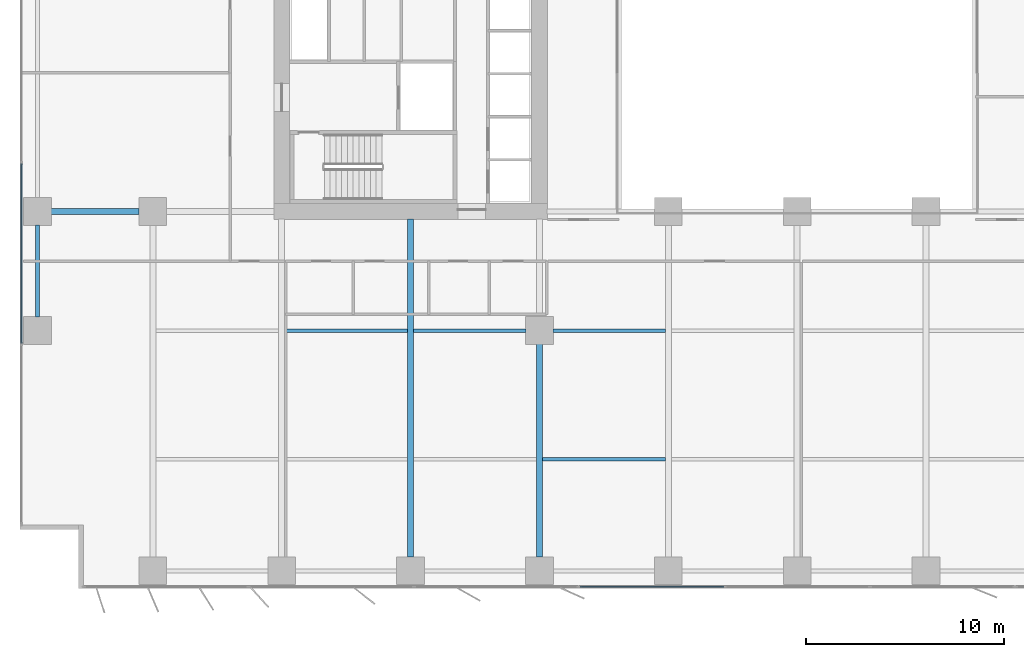
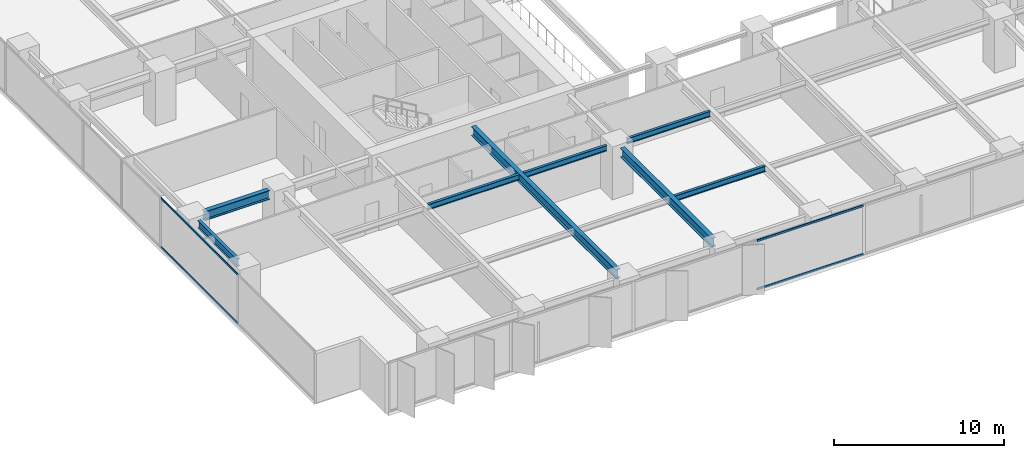
# One storey, part 3 of 20: 8 beams, 4 members, 2 elements without a shape of their own.
"""IFC4 building model written with IfcOpenShell, lengths in metres."""

from ifc_helpers import new_model, si_unit, direction, frame, origin, origin_2d, place, context, subcontext, project, spatial, rectangle, i_section, extrude, material, layer, layer_set, material_profile, profile_set, type_object, element, aggregate, save


model = new_model("IFC4")

# Units and contexts
model_context = context("Model", 3, precision=1e-05, world=origin(), true_north=direction((0.0, 1.0)))
body_context = subcontext(model_context, "Body", "Model", "MODEL_VIEW")
ifc_project = project(units=[si_unit("LENGTHUNIT", "METRE"), si_unit("AREAUNIT", "SQUARE_METRE"), si_unit("VOLUMEUNIT", "CUBIC_METRE"), si_unit("PLANEANGLEUNIT", "RADIAN"), si_unit("MASSUNIT", "GRAM", prefix="KILO")], contexts=[model_context])

# Site, building, storey
site_placement = place(None, origin())
site = spatial("IfcSite", under=ifc_project, at=site_placement, CompositionType="ELEMENT")
building_placement = place(site_placement, origin())
building = spatial("IfcBuilding", under=site, at=building_placement, Name="Putna Gate Headquarters", CompositionType="ELEMENT")
storey_placement = place(building_placement, frame((0.0, 0.0, 46.800048828125)))
storey = spatial("IfcBuildingStorey", under=building, at=storey_placement, Name="L10", CompositionType="ELEMENT", Elevation=46.800048828125)

# Beams
ifc_material_1 = material(Name="Steel S355J2", Category="steel")
ifc_material_profile_1 = material_profile(ifc_material_1, i_section(OverallWidth=0.300048828125, OverallDepth=0.64990234375, WebThickness=0.01611328125, FlangeThickness=0.031005859375, at=origin_2d()), Name="Steel S355J2")
ifc_profile_set_1 = profile_set([ifc_material_profile_1], Name="Steel S355J2")
beam_type_1 = type_object("IfcBeamType", Name="BM-GIRD-Z1-HEB650", PredefinedType="USERDEFINED", material=ifc_profile_set_1)
beam_1_placement = place(storey_placement, frame((1.367919921875, 19.0, 3.224853515625), z_axis=(1.0, 0.0, 0.0), x_axis=(0.0, 1.0, 0.0)))
element("IfcBeam", 1, at=beam_1_placement, inside=storey, type_object=beam_type_1, Name="L10 West Wing Girder Y19-1", ObjectType="GIRDER", PredefinedType="USERDEFINED", context=body_context, shape_type="SweptSolid", body=[
    extrude(i_section(OverallWidth=0.300048828125, OverallDepth=0.64990234375, WebThickness=0.01611328125, FlangeThickness=0.031005859375, at=origin_2d()), origin(), (0.0, 0.0, 1.0), 4.444091796875),
])
beam_2_placement = place(storey_placement, frame((19.5, 1.568115234375, 3.224853515625), z_axis=(0.0, 1.0, 0.0), x_axis=(-1.0, 0.0, 0.0)))
element("IfcBeam", 2, at=beam_2_placement, inside=storey, type_object=beam_type_1, Name="L10 South Primary Girder X19", ObjectType="GIRDER", PredefinedType="USERDEFINED", context=body_context, shape_type="SweptSolid", body=[
    extrude(i_section(OverallWidth=0.300048828125, OverallDepth=0.64990234375, WebThickness=0.01611328125, FlangeThickness=0.031005859375, at=origin_2d()), origin(), (0.0, 0.0, 1.0), 17.046875),
])
beam_3_placement = place(storey_placement, frame((26.0, 1.568115234375, 3.224853515625), z_axis=(0.0, 1.0, 0.0), x_axis=(-1.0, 0.0, 0.0)))
element("IfcBeam", 3, at=beam_3_placement, inside=storey, type_object=beam_type_1, Name="L10 South Primary Girder X26-1", ObjectType="GIRDER", PredefinedType="USERDEFINED", context=body_context, shape_type="SweptSolid", body=[
    extrude(i_section(OverallWidth=0.300048828125, OverallDepth=0.64990234375, WebThickness=0.01611328125, FlangeThickness=0.031005859375, at=origin_2d()), origin(), (0.0, 0.0, 1.0), 10.743896484375),
])
ifc_material_profile_2 = material_profile(ifc_material_1, i_section(OverallWidth=0.179931640625, OverallDepth=0.39990234375, WebThickness=0.008544921875, FlangeThickness=0.013427734375, at=origin_2d()), Name="Steel S355J2")
ifc_profile_set_2 = profile_set([ifc_material_profile_2], Name="Steel S355J2")
beam_type_2 = type_object("IfcBeamType", Name="BM-SEC-Z1-IPE400", PredefinedType="BEAM", material=ifc_profile_set_2)
beam_4_placement = place(storey_placement, frame((13.154052734375, 13.0, 3.349853515625), z_axis=(1.0, 0.0, 0.0), x_axis=(0.0, 1.0, 0.0)))
element("IfcBeam", 4, at=beam_4_placement, inside=storey, type_object=beam_type_2, Name="L10 South Secondary Beam 2", PredefinedType="BEAM", context=body_context, shape_type="SweptSolid", body=[
    extrude(i_section(OverallWidth=0.179931640625, OverallDepth=0.39990234375, WebThickness=0.008544921875, FlangeThickness=0.013427734375, at=origin_2d()), origin(), (0.0, 0.0, 1.0), 6.19189453125),
])
beam_5_placement = place(storey_placement, frame((19.654052734375, 13.0, 3.349853515625), z_axis=(1.0, 0.0, 0.0), x_axis=(0.0, 1.0, 0.0)))
element("IfcBeam", 5, at=beam_5_placement, inside=storey, type_object=beam_type_2, Name="L10 South Secondary Beam 3", PredefinedType="BEAM", context=body_context, shape_type="SweptSolid", body=[
    extrude(i_section(OverallWidth=0.179931640625, OverallDepth=0.39990234375, WebThickness=0.008544921875, FlangeThickness=0.013427734375, at=origin_2d()), origin(), (0.0, 0.0, 1.0), 5.657958984375),
])
beam_6_placement = place(storey_placement, frame((26.154052734375, 6.5, 3.349853515625), z_axis=(1.0, 0.0, 0.0), x_axis=(0.0, 1.0, 0.0)))
element("IfcBeam", 6, at=beam_6_placement, inside=storey, type_object=beam_type_2, Name="L10 South Secondary Beam 4", PredefinedType="BEAM", context=body_context, shape_type="SweptSolid", body=[
    extrude(i_section(OverallWidth=0.179931640625, OverallDepth=0.39990234375, WebThickness=0.008544921875, FlangeThickness=0.013427734375, at=origin_2d()), origin(), (0.0, 0.0, 1.0), 6.19189453125),
])
beam_7_placement = place(storey_placement, frame((26.68798828125, 13.0, 3.349853515625), z_axis=(1.0, 0.0, 0.0), x_axis=(0.0, 1.0, 0.0)))
element("IfcBeam", 7, at=beam_7_placement, inside=storey, type_object=beam_type_2, Name="L10 South Secondary Beam 4", PredefinedType="BEAM", context=body_context, shape_type="SweptSolid", body=[
    extrude(i_section(OverallWidth=0.179931640625, OverallDepth=0.39990234375, WebThickness=0.008544921875, FlangeThickness=0.013427734375, at=origin_2d()), origin(), (0.0, 0.0, 1.0), 5.657958984375),
])
ifc_material_profile_3 = material_profile(ifc_material_1, i_section(OverallWidth=0.2099609375, OverallDepth=0.550048828125, WebThickness=0.010986328125, FlangeThickness=0.01708984375, at=origin_2d()), Name="Steel S355J2")
ifc_profile_set_3 = profile_set([ifc_material_profile_3], Name="Steel S355J2")
beam_type_3 = type_object("IfcBeamType", Name="BM-SPAN-Z1-IPE550", PredefinedType="SPANDREL", material=ifc_profile_set_3)
beam_8_placement = place(storey_placement, frame((0.679931640625, 13.68798828125, 3.27490234375), z_axis=(0.0, 1.0, 0.0), x_axis=(-1.0, 0.0, 0.0)))
element("IfcBeam", 8, at=beam_8_placement, inside=storey, type_object=beam_type_3, Name="L10 W End Spandrel 1", PredefinedType="SPANDREL", context=body_context, shape_type="SweptSolid", body=[
    extrude(i_section(OverallWidth=0.2099609375, OverallDepth=0.550048828125, WebThickness=0.010986328125, FlangeThickness=0.01708984375, at=origin_2d()), origin(), (0.0, 0.0, 1.0), 4.6240234375),
])

# Curtain wall, members
ifc_material_2 = material(Name="Anodised bronze aluminium curtain wall", Category="aluminium")
ifc_layer_1 = layer(ifc_material_2, 0.179931640625)
ifc_layer_set_1 = layer_set([ifc_layer_1], Name="Anodised bronze aluminium curtain wall")
curtain_wall_type_1 = type_object("IfcCurtainWallType", Name="CW-SYS-Z1", PredefinedType="USERDEFINED", material=ifc_layer_set_1)
curtain_wall_1_placement = place(storey_placement, origin())
curtain_wall_1 = element("IfcCurtainWall", 9, at=curtain_wall_1_placement, inside=storey, type_object=curtain_wall_type_1, Name="L10 West Curtain Wall", ObjectType="STICK CURTAIN WALL", PredefinedType="USERDEFINED")
ifc_material_3 = material(Name="Anodised bronze aluminium EN AW-6060", Category="aluminium")
ifc_material_profile_4 = material_profile(ifc_material_3, rectangle(XDim=0.06494140625, YDim=0.1201171875, at=origin_2d()), Name="Anodised bronze aluminium EN AW-6060")
ifc_profile_set_4 = profile_set([ifc_material_profile_4], Name="Anodised bronze aluminium EN AW-6060")
member_type_1 = type_object("IfcMemberType", Name="TRAN-CWT-1", PredefinedType="USERDEFINED", material=ifc_profile_set_4)
member_1_placement = place(storey_placement, frame((-0.1201171875, 12.35498046875, 0.032470703125), z_axis=(0.0, 1.0, 0.0), x_axis=(-1.0, 0.0, 0.0)))
member_1 = element("IfcMember", 10, at=member_1_placement, type_object=member_type_1, Name="CWS-1 transom 2.1", ObjectType="TRANSOM", PredefinedType="USERDEFINED", context=body_context, shape_type="SweptSolid", body=[
    extrude(rectangle(XDim=0.06494140625, YDim=0.1201171875, at=origin_2d()), origin(), (0.0, 0.0, 1.0), 9.050048828125),
])
member_2_placement = place(storey_placement, frame((-0.1201171875, 12.35498046875, 3.517333984375), z_axis=(0.0, 1.0, 0.0), x_axis=(-1.0, 0.0, 0.0)))
member_2 = element("IfcMember", 11, at=member_2_placement, type_object=member_type_1, Name="CWS-1 transom 2.2", ObjectType="TRANSOM", PredefinedType="USERDEFINED", context=body_context, shape_type="SweptSolid", body=[
    extrude(rectangle(XDim=0.06494140625, YDim=0.1201171875, at=origin_2d()), origin(), (0.0, 0.0, 1.0), 9.050048828125),
])
aggregate(curtain_wall_1, [member_1, member_2])

ifc_layer_2 = layer(ifc_material_2, 0.179931640625)
ifc_layer_set_2 = layer_set([ifc_layer_2], Name="Anodised bronze aluminium curtain wall")
curtain_wall_type_2 = type_object("IfcCurtainWallType", Name="CW-SYS-ATR", PredefinedType="USERDEFINED", material=ifc_layer_set_2)
curtain_wall_2_placement = place(storey_placement, origin())
curtain_wall_2 = element("IfcCurtainWall", 12, at=curtain_wall_2_placement, inside=storey, type_object=curtain_wall_type_2, Name="L10 South Atrium Clear Glazing", ObjectType="ATRIUM GLAZING", PredefinedType="USERDEFINED")
ifc_material_profile_5 = material_profile(ifc_material_3, rectangle(XDim=0.070068359375, YDim=0.139892578125, at=origin_2d()), Name="Anodised bronze aluminium EN AW-6060")
ifc_profile_set_5 = profile_set([ifc_material_profile_5], Name="Anodised bronze aluminium EN AW-6060")
member_type_2 = type_object("IfcMemberType", Name="TRAN-CWT-AT", PredefinedType="USERDEFINED", material=ifc_profile_set_5)
member_3_placement = place(storey_placement, frame((28.070068359375, 0.080078125, 0.034912109375), z_axis=(1.0, 0.0, 0.0), x_axis=(0.0, 1.0, 0.0)))
member_3 = element("IfcMember", 13, at=member_3_placement, type_object=member_type_2, Name="CWS-AT transom 1.1", ObjectType="TRANSOM", PredefinedType="USERDEFINED", context=body_context, shape_type="SweptSolid", body=[
    extrude(rectangle(XDim=0.070068359375, YDim=0.139892578125, at=origin_2d()), origin(), (0.0, 0.0, 1.0), 7.228271484375),
])
member_4_placement = place(storey_placement, frame((28.070068359375, 0.080078125, 3.514892578125), z_axis=(1.0, 0.0, 0.0), x_axis=(0.0, 1.0, 0.0)))
member_4 = element("IfcMember", 14, at=member_4_placement, type_object=member_type_2, Name="CWS-AT transom 1.2", ObjectType="TRANSOM", PredefinedType="USERDEFINED", context=body_context, shape_type="SweptSolid", body=[
    extrude(rectangle(XDim=0.070068359375, YDim=0.139892578125, at=origin_2d()), origin(), (0.0, 0.0, 1.0), 7.228271484375),
])
aggregate(curtain_wall_2, [member_3, member_4])

save(model, "model.ifc")
